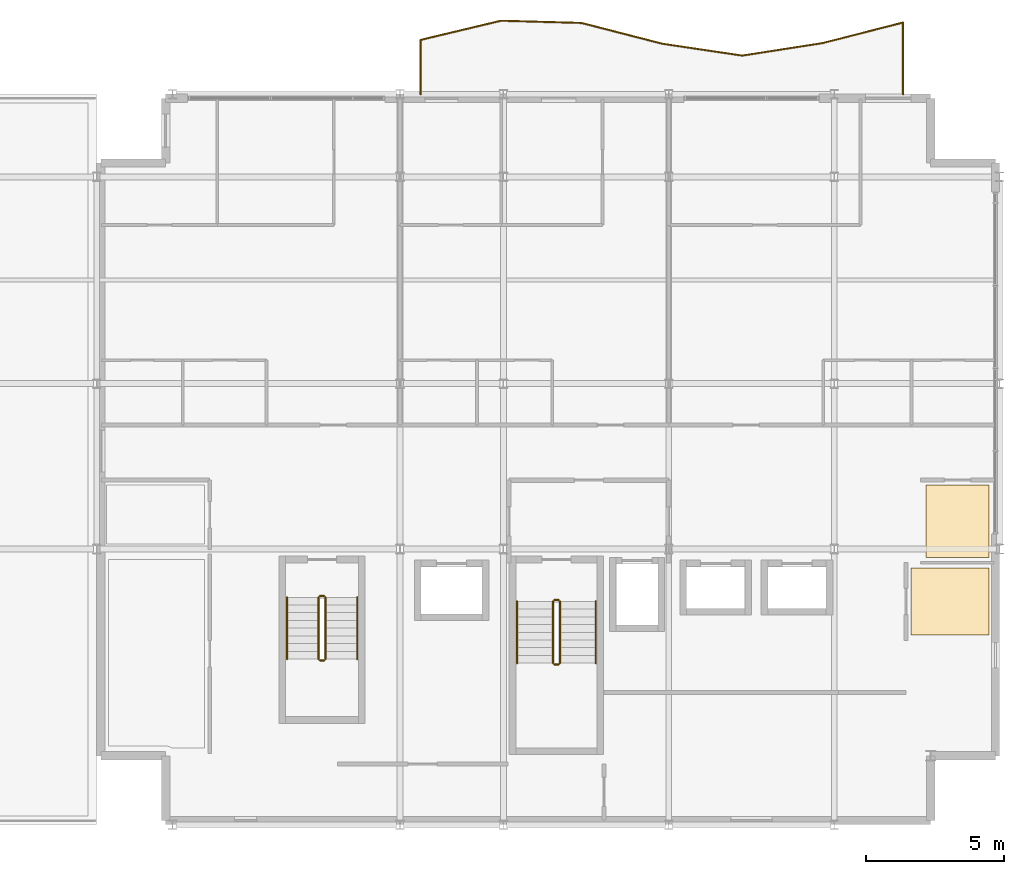
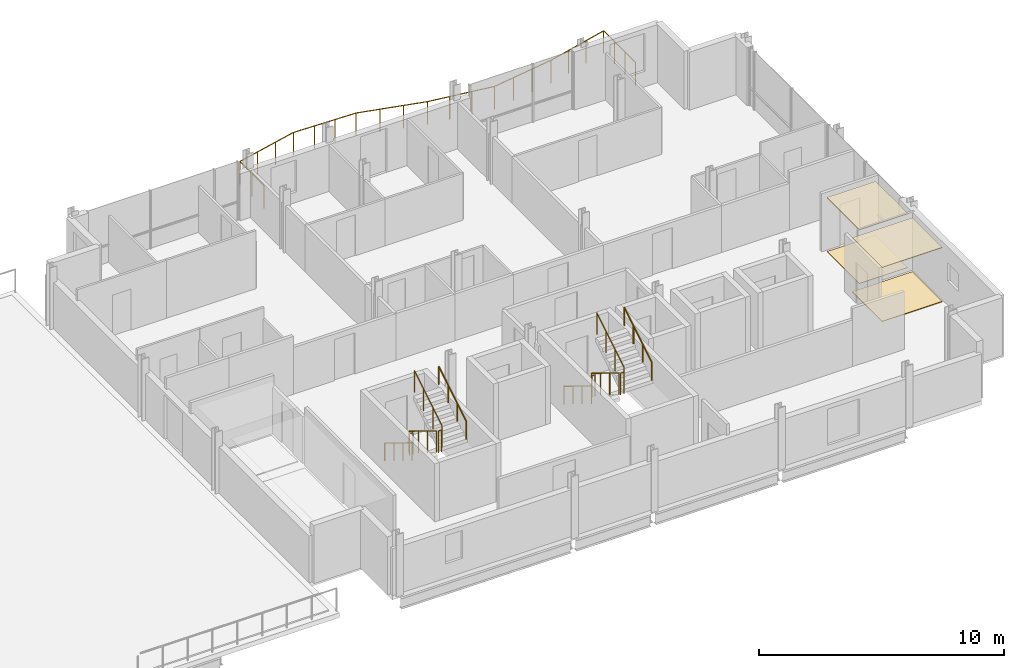
# One storey, part 17 of 17: 13 railings, 4 coverings.
"""IFC4 building model written with IfcOpenShell, lengths in metres."""

from ifc_helpers import new_model, si_unit, direction, frame, origin, origin_2d, place, context, subcontext, project, spatial, polyline, circle, outline, extrude, material, layer, layer_set, type_object, element, save


model = new_model("IFC4")

# Units and contexts
model_context = context("Model", 3, precision=1e-05, world=origin(), true_north=direction((0.0, 1.0)))
body_context = subcontext(model_context, "Body", "Model", "MODEL_VIEW")
ifc_project = project(units=[si_unit("LENGTHUNIT", "METRE"), si_unit("AREAUNIT", "SQUARE_METRE"), si_unit("VOLUMEUNIT", "CUBIC_METRE"), si_unit("PLANEANGLEUNIT", "RADIAN"), si_unit("MASSUNIT", "GRAM", prefix="KILO")], contexts=[model_context])

# Site, building, storey
site_placement = place(None, origin())
site = spatial("IfcSite", under=ifc_project, at=site_placement, CompositionType="ELEMENT")
building_placement = place(site_placement, origin())
building = spatial("IfcBuilding", under=site, at=building_placement, Name="Brevholm Reach", CompositionType="ELEMENT")
storey_placement = place(building_placement, frame((0.0, 0.0, 221.10009765625)))
storey = spatial("IfcBuildingStorey", under=building, at=storey_placement, Name="L67", CompositionType="ELEMENT", Elevation=221.10009765625)

# Coverings
ifc_material_1 = material(Name="Perforated Mineral-Fibre Class-A Acoustic Suspended Ceiling", Category="gypsum")
ifc_layer_1 = layer(ifc_material_1, 0.044921875)
ifc_layer_set_1 = layer_set([ifc_layer_1], Name="Perforated Mineral-Fibre Class-A Acoustic Suspended Ceiling")
covering_type_1 = type_object("IfcCoveringType", Name="COV-CLG-AC", PredefinedType="CEILING", material=ifc_layer_set_1)
covering_1_placement = place(storey_placement, frame((0.0, 0.0, 2.6748046875)))
element("IfcCovering", 1, at=covering_1_placement, inside=storey, type_object=covering_type_1, Name="L67 Suspended Ceiling L67-19", PredefinedType="CEILING", context=body_context, shape_type="SweptSolid", body=[
    extrude(outline(polyline([(57.330078125, 12.31591796875), (59.6201171875, 12.31591796875), (59.6201171875, 10.123779296875), (59.6171875, 10.1162109375), (59.607666015625, 10.077880859375), (59.601806640625, 10.039306640625), (59.60009765625, 10.0), (59.601806640625, 9.960693359375), (59.607666015625, 9.922119140625), (59.6171875, 9.8837890625), (59.6201171875, 9.876220703125), (59.6201171875, 9.68408203125), (57.330078125, 9.68408203125), (57.330078125, 12.31591796875)])), origin(), (0.0, 0.0, 1.0), 0.045166015625),
])
ifc_material_2 = material(Name="Moisture-Resistant Skimmed Gypsum Plasterboard Ceiling", Category="gypsum")
ifc_layer_2 = layer(ifc_material_2, 0.030029296875)
ifc_layer_set_2 = layer_set([ifc_layer_2], Name="Moisture-Resistant Skimmed Gypsum Plasterboard Ceiling")
covering_type_2 = type_object("IfcCoveringType", Name="COV-CLG-GYP", PredefinedType="CEILING", material=ifc_layer_set_2)
covering_2_placement = place(storey_placement, frame((0.0, 0.0, 2.68994140625)))
element("IfcCovering", 2, at=covering_2_placement, inside=storey, type_object=covering_type_2, Name="L67 Suspended Ceiling L67-17", PredefinedType="CEILING", context=body_context, shape_type="SweptSolid", body=[
    extrude(outline(polyline([(59.6201171875, 9.320068359375), (59.6201171875, 6.8798828125), (56.783935546875, 6.8798828125), (56.783935546875, 9.320068359375), (59.6201171875, 9.320068359375)])), origin(), (0.0, 0.0, 1.0), 0.030029296875),
])
ifc_material_3 = material(Name="Engineered European Oak Acoustic Plank Flooring", Category="timber")
ifc_layer_3 = layer(ifc_material_3, 0.02197265625)
ifc_layer_set_3 = layer_set([ifc_layer_3], Name="Engineered European Oak Acoustic Plank Flooring")
covering_type_3 = type_object("IfcCoveringType", Name="COV-FLR-OAK", PredefinedType="FLOORING", material=ifc_layer_set_3)
covering_3_placement = place(storey_placement, origin())
element("IfcCovering", 3, at=covering_3_placement, inside=storey, type_object=covering_type_3, Name="L67 Floor Finish L67-19", PredefinedType="FLOORING", context=body_context, shape_type="SweptSolid", body=[
    extrude(outline(polyline([(57.330078125, 12.31591796875), (59.6201171875, 12.31591796875), (59.6201171875, 10.123779296875), (59.6171875, 10.1162109375), (59.607666015625, 10.077880859375), (59.601806640625, 10.039306640625), (59.60009765625, 10.0), (59.601806640625, 9.960693359375), (59.607666015625, 9.922119140625), (59.6171875, 9.8837890625), (59.6201171875, 9.876220703125), (59.6201171875, 9.68408203125), (57.330078125, 9.68408203125), (57.330078125, 12.31591796875)])), origin(), (0.0, 0.0, 1.0), 0.02197265625),
])
ifc_material_4 = material(Name="Honed Portland-Aggregate Resin Terrazzo Flooring", Category="concrete")
ifc_layer_4 = layer(ifc_material_4, 0.031982421875)
ifc_layer_set_4 = layer_set([ifc_layer_4], Name="Honed Portland-Aggregate Resin Terrazzo Flooring")
covering_type_4 = type_object("IfcCoveringType", Name="COV-FLR-TRZ", PredefinedType="FLOORING", material=ifc_layer_set_4)
covering_4_placement = place(storey_placement, origin())
element("IfcCovering", 4, at=covering_4_placement, inside=storey, type_object=covering_type_4, Name="L67 Floor Finish L67-17", PredefinedType="FLOORING", context=body_context, shape_type="SweptSolid", body=[
    extrude(outline(polyline([(59.6201171875, 9.320068359375), (59.6201171875, 6.8798828125), (56.783935546875, 6.8798828125), (56.783935546875, 9.320068359375), (59.6201171875, 9.320068359375)])), origin(), (0.0, 0.0, 1.0), 0.031982421875),
])

# Railings
ifc_material_5 = material(Name="Brushed Stainless Steel EN 1.4401 and Laminated Glass", Category="steel")
railing_type_1 = type_object("IfcRailingType", Name="RAL-BALC-1150", PredefinedType="BALUSTRADE", material=ifc_material_5)
railing_1_placement = place(storey_placement, frame((56.5, 26.5, 0.0)))
element("IfcRailing", 5, at=railing_1_placement, inside=storey, type_object=railing_type_1, Name="L67 Guard Balustrade RAL-L67-BAL-NE", PredefinedType="BALUSTRADE", context=body_context, shape_type="SweptSolid", body=[
    extrude(circle(Radius=0.02392578125, at=origin_2d()), frame((0.0, 0.0, 1.1259765625), z_axis=(0.0, 1.0, 0.0), x_axis=(-1.0, 0.0, 0.0)), (0.0, 0.0, 1.0), 2.599609375),
    extrude(circle(Radius=0.02392578125, at=origin_2d()), frame((0.0, 2.599609375, 1.1259765625), z_axis=(-0.968942936238, -0.247284423921, 0.0), x_axis=(0.247284423921, -0.968942936238, 0.0)), (0.0, 0.0, 1.0), 3.01025390625),
    extrude(circle(Radius=0.02392578125, at=origin_2d()), frame((-2.916748046875, 1.855224609375, 1.1259765625), z_axis=(-0.988044338858, -0.154169985571, 0.0), x_axis=(0.154169985571, -0.988044338858, 0.0)), (0.0, 0.0, 1.0), 2.951904296875),
    extrude(circle(Radius=0.02392578125, at=origin_2d()), frame((-5.833251953125, 1.400146484375, 1.1259765625), z_axis=(-0.98916653389, 0.146797711943, 0.0), x_axis=(-0.146797711943, -0.98916653389, 0.0)), (0.0, 0.0, 1.0), 2.94873046875),
    extrude(circle(Radius=0.02392578125, at=origin_2d()), frame((-8.75, 1.8330078125, 1.1259765625), z_axis=(-0.968377202247, 0.2494906695, 0.0), x_axis=(-0.2494906695, -0.968377202247, 0.0)), (0.0, 0.0, 1.0), 3.011962890625),
    extrude(circle(Radius=0.02392578125, at=origin_2d()), frame((-11.666748046875, 2.58447265625, 1.1259765625), z_axis=(-0.99961635372, 0.027697389342, 0.0), x_axis=(-0.027697389342, -0.99961635372, 0.0)), (0.0, 0.0, 1.0), 2.917724609375),
    extrude(circle(Radius=0.02392578125, at=origin_2d()), frame((-14.583251953125, 2.665283203125, 1.1259765625), z_axis=(-0.972705660557, -0.23204244853, 0.0), x_axis=(0.23204244853, -0.972705660557, 0.0)), (0.0, 0.0, 1.0), 2.99853515625),
    extrude(circle(Radius=0.02392578125, at=origin_2d()), frame((-17.5, 1.969482421875, 1.1259765625), z_axis=(0.0, -1.0, 0.0), x_axis=(1.0, 0.0, 0.0)), (0.0, 0.0, 1.0), 1.969482421875),
    extrude(circle(Radius=0.02099609375, at=origin_2d()), origin(), (0.0, 0.0, 1.0), 1.101806640625),
    extrude(circle(Radius=0.02099609375, at=origin_2d()), frame((0.0, 0.866455078125, 0.0)), (0.0, 0.0, 1.0), 1.101806640625),
    extrude(circle(Radius=0.02099609375, at=origin_2d()), frame((0.0, 1.733154296875, 0.0)), (0.0, 0.0, 1.0), 1.101806640625),
    extrude(circle(Radius=0.02099609375, at=origin_2d()), frame((0.0, 2.599609375, 0.0)), (0.0, 0.0, 1.0), 1.101806640625),
    extrude(circle(Radius=0.02099609375, at=origin_2d()), frame((-0.97216796875, 2.3515625, 0.0)), (0.0, 0.0, 1.0), 1.101806640625),
    extrude(circle(Radius=0.02099609375, at=origin_2d()), frame((-1.944580078125, 2.103271484375, 0.0)), (0.0, 0.0, 1.0), 1.101806640625),
    extrude(circle(Radius=0.02099609375, at=origin_2d()), frame((-2.916748046875, 1.855224609375, 0.0)), (0.0, 0.0, 1.0), 1.101806640625),
    extrude(circle(Radius=0.02099609375, at=origin_2d()), frame((-3.888916015625, 1.70361328125, 0.0)), (0.0, 0.0, 1.0), 1.101806640625),
    extrude(circle(Radius=0.02099609375, at=origin_2d()), frame((-4.861083984375, 1.5517578125, 0.0)), (0.0, 0.0, 1.0), 1.101806640625),
    extrude(circle(Radius=0.02099609375, at=origin_2d()), frame((-5.833251953125, 1.400146484375, 0.0)), (0.0, 0.0, 1.0), 1.101806640625),
    extrude(circle(Radius=0.02099609375, at=origin_2d()), frame((-6.805419921875, 1.54443359375, 0.0)), (0.0, 0.0, 1.0), 1.101806640625),
    extrude(circle(Radius=0.02099609375, at=origin_2d()), frame((-7.77783203125, 1.688720703125, 0.0)), (0.0, 0.0, 1.0), 1.101806640625),
    extrude(circle(Radius=0.02099609375, at=origin_2d()), frame((-8.75, 1.8330078125, 0.0)), (0.0, 0.0, 1.0), 1.101806640625),
    extrude(circle(Radius=0.02099609375, at=origin_2d()), frame((-9.72216796875, 2.08349609375, 0.0)), (0.0, 0.0, 1.0), 1.101806640625),
    extrude(circle(Radius=0.02099609375, at=origin_2d()), frame((-10.694580078125, 2.333984375, 0.0)), (0.0, 0.0, 1.0), 1.101806640625),
    extrude(circle(Radius=0.02099609375, at=origin_2d()), frame((-11.666748046875, 2.58447265625, 0.0)), (0.0, 0.0, 1.0), 1.101806640625),
    extrude(circle(Radius=0.02099609375, at=origin_2d()), frame((-12.638916015625, 2.611328125, 0.0)), (0.0, 0.0, 1.0), 1.101806640625),
    extrude(circle(Radius=0.02099609375, at=origin_2d()), frame((-13.611083984375, 2.638427734375, 0.0)), (0.0, 0.0, 1.0), 1.101806640625),
    extrude(circle(Radius=0.02099609375, at=origin_2d()), frame((-14.583251953125, 2.665283203125, 0.0)), (0.0, 0.0, 1.0), 1.101806640625),
    extrude(circle(Radius=0.02099609375, at=origin_2d()), frame((-15.555419921875, 2.433349609375, 0.0)), (0.0, 0.0, 1.0), 1.101806640625),
    extrude(circle(Radius=0.02099609375, at=origin_2d()), frame((-16.52783203125, 2.201416015625, 0.0)), (0.0, 0.0, 1.0), 1.101806640625),
    extrude(circle(Radius=0.02099609375, at=origin_2d()), frame((-17.5, 1.969482421875, 0.0)), (0.0, 0.0, 1.0), 1.101806640625),
    extrude(circle(Radius=0.02099609375, at=origin_2d()), frame((-17.5, 0.98486328125, 0.0)), (0.0, 0.0, 1.0), 1.101806640625),
    extrude(circle(Radius=0.02099609375, at=origin_2d()), frame((-17.5, 0.0, 0.0)), (0.0, 0.0, 1.0), 1.101806640625),
])
ifc_material_6 = material(Name="Brushed Stainless Steel EN 1.4401 Continuous Handrail", Category="steel")
railing_type_2 = type_object("IfcRailingType", Name="RAL-HND-950", PredefinedType="HANDRAIL", material=ifc_material_6)
railing_2_placement = place(storey_placement, frame((42.5, 8.10009765625, 0.172119140625)))
element("IfcRailing", 6, at=railing_2_placement, inside=storey, type_object=railing_type_2, Name="L67 ST-2 stair handrail 1", PredefinedType="HANDRAIL", context=body_context, shape_type="SweptSolid", body=[
    extrude(circle(Radius=0.02392578125, at=origin_2d()), frame((0.0, 0.0, 0.8857421875), z_axis=(0.0, -0.85178898068, 0.523885037382), x_axis=(1.0, 0.0, 0.0)), (0.0, 0.0, 1.0), 2.629638671875),
    extrude(circle(Radius=0.02099609375, at=origin_2d()), origin(), (0.0, 0.0, 1.0), 0.86181640625),
    extrude(circle(Radius=0.02099609375, at=origin_2d()), frame((0.0, -0.74658203125, 0.459228515625)), (0.0, 0.0, 1.0), 0.86181640625),
    extrude(circle(Radius=0.02099609375, at=origin_2d()), frame((0.0, -1.493408203125, 0.91845703125)), (0.0, 0.0, 1.0), 0.86181640625),
    extrude(circle(Radius=0.02099609375, at=origin_2d()), frame((0.0, -2.239990234375, 1.377685546875)), (0.0, 0.0, 1.0), 0.86181640625),
])
railing_3_placement = place(storey_placement, frame((45.35009765625, 5.860107421875, 1.72216796875)))
element("IfcRailing", 7, at=railing_3_placement, inside=storey, type_object=railing_type_2, Name="L67 ST-2 stair handrail 2", PredefinedType="HANDRAIL", context=body_context, shape_type="SweptSolid", body=[
    extrude(circle(Radius=0.02392578125, at=origin_2d()), frame((0.0, 0.0, 0.8857421875), z_axis=(0.0, 0.85178898068, 0.523885037382), x_axis=(-1.0, 0.0, 0.0)), (0.0, 0.0, 1.0), 2.629638671875),
    extrude(circle(Radius=0.02099609375, at=origin_2d()), origin(), (0.0, 0.0, 1.0), 0.86181640625),
    extrude(circle(Radius=0.02099609375, at=origin_2d()), frame((0.0, 0.74658203125, 0.459228515625)), (0.0, 0.0, 1.0), 0.86181640625),
    extrude(circle(Radius=0.02099609375, at=origin_2d()), frame((0.0, 1.493408203125, 0.91845703125)), (0.0, 0.0, 1.0), 0.86181640625),
    extrude(circle(Radius=0.02099609375, at=origin_2d()), frame((0.0, 2.239990234375, 1.377685546875)), (0.0, 0.0, 1.0), 0.86181640625),
])
railing_4_placement = place(storey_placement, frame((34.14990234375, 8.25, 0.172119140625)))
element("IfcRailing", 8, at=railing_4_placement, inside=storey, type_object=railing_type_2, Name="L67 ST-3 stair handrail 1", PredefinedType="HANDRAIL", context=body_context, shape_type="SweptSolid", body=[
    extrude(circle(Radius=0.02392578125, at=origin_2d()), frame((0.0, 0.0, 0.8857421875), z_axis=(0.0, -0.85178898068, 0.523885037382), x_axis=(1.0, 0.0, 0.0)), (0.0, 0.0, 1.0), 2.629638671875),
    extrude(circle(Radius=0.02099609375, at=origin_2d()), origin(), (0.0, 0.0, 1.0), 0.86181640625),
    extrude(circle(Radius=0.02099609375, at=origin_2d()), frame((0.0, -0.74658203125, 0.459228515625)), (0.0, 0.0, 1.0), 0.86181640625),
    extrude(circle(Radius=0.02099609375, at=origin_2d()), frame((0.0, -1.493408203125, 0.91845703125)), (0.0, 0.0, 1.0), 0.86181640625),
    extrude(circle(Radius=0.02099609375, at=origin_2d()), frame((0.0, -2.239990234375, 1.377685546875)), (0.0, 0.0, 1.0), 0.86181640625),
])
railing_5_placement = place(storey_placement, frame((36.699951171875, 6.010009765625, 1.72216796875)))
element("IfcRailing", 9, at=railing_5_placement, inside=storey, type_object=railing_type_2, Name="L67 ST-3 stair handrail 2", PredefinedType="HANDRAIL", context=body_context, shape_type="SweptSolid", body=[
    extrude(circle(Radius=0.02392578125, at=origin_2d()), frame((0.0, 0.0, 0.8857421875), z_axis=(0.0, 0.85178898068, 0.523885037382), x_axis=(-1.0, 0.0, 0.0)), (0.0, 0.0, 1.0), 2.629638671875),
    extrude(circle(Radius=0.02099609375, at=origin_2d()), origin(), (0.0, 0.0, 1.0), 0.86181640625),
    extrude(circle(Radius=0.02099609375, at=origin_2d()), frame((0.0, 0.74658203125, 0.459228515625)), (0.0, 0.0, 1.0), 0.86181640625),
    extrude(circle(Radius=0.02099609375, at=origin_2d()), frame((0.0, 1.493408203125, 0.91845703125)), (0.0, 0.0, 1.0), 0.86181640625),
    extrude(circle(Radius=0.02099609375, at=origin_2d()), frame((0.0, 2.239990234375, 1.377685546875)), (0.0, 0.0, 1.0), 0.86181640625),
])
ifc_material_7 = material(Name="Painted Tubular Galvanised Steel S275JR Stair Guard", Category="steel")
railing_type_3 = type_object("IfcRailingType", Name="RAL-STG-1120", PredefinedType="BALUSTRADE", material=ifc_material_7)
railing_6_placement = place(storey_placement, frame((43.800048828125, 8.10009765625, 0.172119140625)))
element("IfcRailing", 10, at=railing_6_placement, inside=storey, type_object=railing_type_3, Name="L67 ST-2 stair guard 1", PredefinedType="BALUSTRADE", context=body_context, shape_type="SweptSolid", body=[
    extrude(circle(Radius=0.02392578125, at=origin_2d()), frame((0.0, 0.0, 1.076171875), z_axis=(0.0, -0.85178898068, 0.523885037382), x_axis=(1.0, 0.0, 0.0)), (0.0, 0.0, 1.0), 2.629638671875),
    extrude(circle(Radius=0.02099609375, at=origin_2d()), origin(), (0.0, 0.0, 1.0), 1.052001953125),
    extrude(circle(Radius=0.02099609375, at=origin_2d()), frame((0.0, -0.74658203125, 0.459228515625)), (0.0, 0.0, 1.0), 1.052001953125),
    extrude(circle(Radius=0.02099609375, at=origin_2d()), frame((0.0, -1.493408203125, 0.91845703125)), (0.0, 0.0, 1.0), 1.052001953125),
    extrude(circle(Radius=0.02099609375, at=origin_2d()), frame((0.0, -2.239990234375, 1.377685546875)), (0.0, 0.0, 1.0), 1.052001953125),
])
railing_7_placement = place(storey_placement, frame((43.85009765625, 5.81005859375, 1.5498046875)))
element("IfcRailing", 11, at=railing_7_placement, inside=storey, type_object=railing_type_3, Name="L67 ST-2 stair guard 2", PredefinedType="BALUSTRADE", context=body_context, shape_type="SweptSolid", body=[
    extrude(circle(Radius=0.02392578125, at=origin_2d()), frame((0.0, 0.0, 1.076171875), z_axis=(1.0, 0.0, 0.0), x_axis=(0.0, 1.0, 0.0)), (0.0, 0.0, 1.0), 0.14990234375),
    extrude(circle(Radius=0.02099609375, at=origin_2d()), origin(), (0.0, 0.0, 1.0), 1.052001953125),
    extrude(circle(Radius=0.02099609375, at=origin_2d()), frame((0.14990234375, 0.0, 0.0)), (0.0, 0.0, 1.0), 1.052001953125),
])
railing_8_placement = place(storey_placement, frame((44.050048828125, 5.860107421875, 1.72216796875)))
element("IfcRailing", 12, at=railing_8_placement, inside=storey, type_object=railing_type_3, Name="L67 ST-2 stair guard 3", PredefinedType="BALUSTRADE", context=body_context, shape_type="SweptSolid", body=[
    extrude(circle(Radius=0.02392578125, at=origin_2d()), frame((0.0, 0.0, 1.076171875), z_axis=(0.0, 0.85178898068, 0.523885037382), x_axis=(-1.0, 0.0, 0.0)), (0.0, 0.0, 1.0), 2.629638671875),
    extrude(circle(Radius=0.02099609375, at=origin_2d()), origin(), (0.0, 0.0, 1.0), 1.052001953125),
    extrude(circle(Radius=0.02099609375, at=origin_2d()), frame((0.0, 0.74658203125, 0.459228515625)), (0.0, 0.0, 1.0), 1.052001953125),
    extrude(circle(Radius=0.02099609375, at=origin_2d()), frame((0.0, 1.493408203125, 0.91845703125)), (0.0, 0.0, 1.0), 1.052001953125),
    extrude(circle(Radius=0.02099609375, at=origin_2d()), frame((0.0, 2.239990234375, 1.377685546875)), (0.0, 0.0, 1.0), 1.052001953125),
])
railing_9_placement = place(storey_placement, frame((43.85009765625, 8.14990234375, 0.0)))
element("IfcRailing", 13, at=railing_9_placement, inside=storey, type_object=railing_type_3, Name="L67 ST-2 stair guard 4", PredefinedType="BALUSTRADE", context=body_context, shape_type="SweptSolid", body=[
    extrude(circle(Radius=0.02392578125, at=origin_2d()), frame((0.0, 0.0, 1.076171875), z_axis=(1.0, 0.0, 0.0), x_axis=(0.0, 1.0, 0.0)), (0.0, 0.0, 1.0), 0.14990234375),
    extrude(circle(Radius=0.02099609375, at=origin_2d()), origin(), (0.0, 0.0, 1.0), 1.052001953125),
    extrude(circle(Radius=0.02099609375, at=origin_2d()), frame((0.14990234375, 0.0, 0.0)), (0.0, 0.0, 1.0), 1.052001953125),
])
railing_10_placement = place(storey_placement, frame((35.300048828125, 8.25, 0.172119140625)))
element("IfcRailing", 14, at=railing_10_placement, inside=storey, type_object=railing_type_3, Name="L67 ST-3 stair guard 1", PredefinedType="BALUSTRADE", context=body_context, shape_type="SweptSolid", body=[
    extrude(circle(Radius=0.02392578125, at=origin_2d()), frame((0.0, 0.0, 1.076171875), z_axis=(0.0, -0.85178898068, 0.523885037382), x_axis=(1.0, 0.0, 0.0)), (0.0, 0.0, 1.0), 2.629638671875),
    extrude(circle(Radius=0.02099609375, at=origin_2d()), origin(), (0.0, 0.0, 1.0), 1.052001953125),
    extrude(circle(Radius=0.02099609375, at=origin_2d()), frame((0.0, -0.74658203125, 0.459228515625)), (0.0, 0.0, 1.0), 1.052001953125),
    extrude(circle(Radius=0.02099609375, at=origin_2d()), frame((0.0, -1.493408203125, 0.91845703125)), (0.0, 0.0, 1.0), 1.052001953125),
    extrude(circle(Radius=0.02099609375, at=origin_2d()), frame((0.0, -2.239990234375, 1.377685546875)), (0.0, 0.0, 1.0), 1.052001953125),
])
railing_11_placement = place(storey_placement, frame((35.35009765625, 5.9599609375, 1.5498046875)))
element("IfcRailing", 15, at=railing_11_placement, inside=storey, type_object=railing_type_3, Name="L67 ST-3 stair guard 2", PredefinedType="BALUSTRADE", context=body_context, shape_type="SweptSolid", body=[
    extrude(circle(Radius=0.02392578125, at=origin_2d()), frame((0.0, 0.0, 1.076171875), z_axis=(1.0, 0.0, 0.0), x_axis=(0.0, 1.0, 0.0)), (0.0, 0.0, 1.0), 0.14990234375),
    extrude(circle(Radius=0.02099609375, at=origin_2d()), origin(), (0.0, 0.0, 1.0), 1.052001953125),
    extrude(circle(Radius=0.02099609375, at=origin_2d()), frame((0.14990234375, 0.0, 0.0)), (0.0, 0.0, 1.0), 1.052001953125),
])
railing_12_placement = place(storey_placement, frame((35.550048828125, 6.010009765625, 1.72216796875)))
element("IfcRailing", 16, at=railing_12_placement, inside=storey, type_object=railing_type_3, Name="L67 ST-3 stair guard 3", PredefinedType="BALUSTRADE", context=body_context, shape_type="SweptSolid", body=[
    extrude(circle(Radius=0.02392578125, at=origin_2d()), frame((0.0, 0.0, 1.076171875), z_axis=(0.0, 0.85178898068, 0.523885037382), x_axis=(-1.0, 0.0, 0.0)), (0.0, 0.0, 1.0), 2.629638671875),
    extrude(circle(Radius=0.02099609375, at=origin_2d()), origin(), (0.0, 0.0, 1.0), 1.052001953125),
    extrude(circle(Radius=0.02099609375, at=origin_2d()), frame((0.0, 0.74658203125, 0.459228515625)), (0.0, 0.0, 1.0), 1.052001953125),
    extrude(circle(Radius=0.02099609375, at=origin_2d()), frame((0.0, 1.493408203125, 0.91845703125)), (0.0, 0.0, 1.0), 1.052001953125),
    extrude(circle(Radius=0.02099609375, at=origin_2d()), frame((0.0, 2.239990234375, 1.377685546875)), (0.0, 0.0, 1.0), 1.052001953125),
])
railing_13_placement = place(storey_placement, frame((35.35009765625, 8.300048828125, 0.0)))
element("IfcRailing", 17, at=railing_13_placement, inside=storey, type_object=railing_type_3, Name="L67 ST-3 stair guard 4", PredefinedType="BALUSTRADE", context=body_context, shape_type="SweptSolid", body=[
    extrude(circle(Radius=0.02392578125, at=origin_2d()), frame((0.0, 0.0, 1.076171875), z_axis=(1.0, 0.0, 0.0), x_axis=(0.0, 1.0, 0.0)), (0.0, 0.0, 1.0), 0.14990234375),
    extrude(circle(Radius=0.02099609375, at=origin_2d()), origin(), (0.0, 0.0, 1.0), 1.052001953125),
    extrude(circle(Radius=0.02099609375, at=origin_2d()), frame((0.14990234375, 0.0, 0.0)), (0.0, 0.0, 1.0), 1.052001953125),
])

save(model, "model.ifc")
